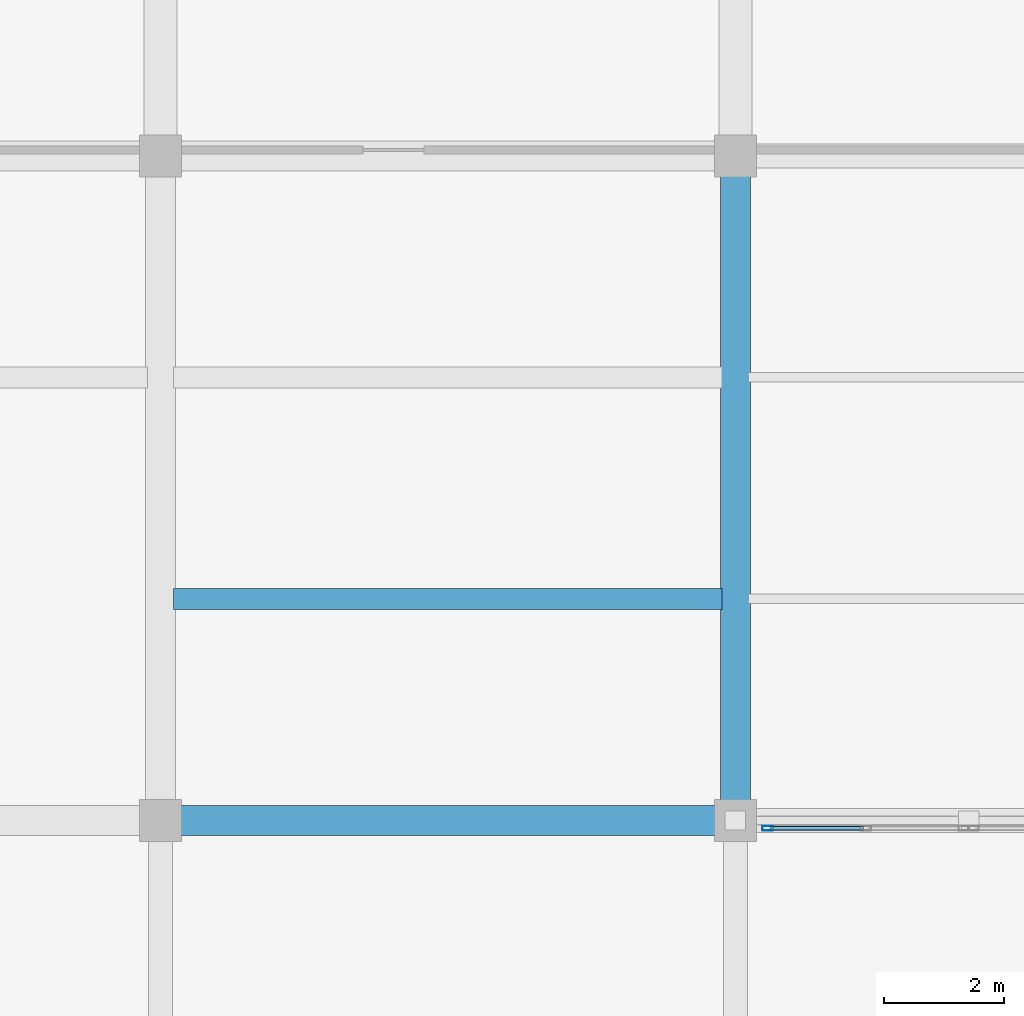
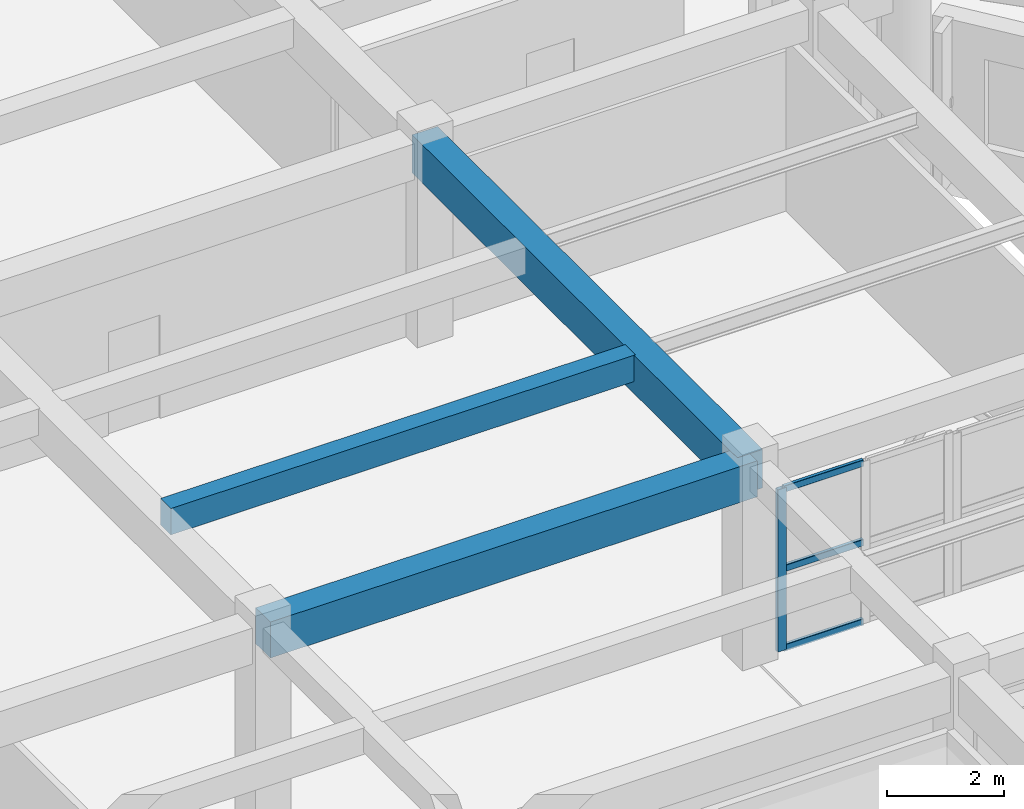
# One storey, part 26 of 92: 4 members, 3 beams, 1 element without a shape of its own.
"""IFC4 building model written with IfcOpenShell, lengths in metres."""

from ifc_helpers import new_model, si_unit, direction, frame, origin, origin_2d, place, context, subcontext, project, spatial, rectangle, hollow_rectangle, extrude, material, layer, layer_set, material_profile, profile_set, type_object, element, aggregate, save


model = new_model("IFC4")

# Units and contexts
model_context = context("Model", 3, precision=1e-05, world=origin(), true_north=direction((0.0, 1.0)))
body_context = subcontext(model_context, "Body", "Model", "MODEL_VIEW")
ifc_project = project(units=[si_unit("LENGTHUNIT", "METRE"), si_unit("AREAUNIT", "SQUARE_METRE"), si_unit("VOLUMEUNIT", "CUBIC_METRE"), si_unit("PLANEANGLEUNIT", "RADIAN"), si_unit("MASSUNIT", "GRAM", prefix="KILO")], contexts=[model_context])

# Site, building, storey
site_placement = place(None, origin())
site = spatial("IfcSite", under=ifc_project, at=site_placement, CompositionType="ELEMENT")
building_placement = place(site_placement, origin())
building = spatial("IfcBuilding", under=site, at=building_placement, Name="Tarnavel Promenade Courthouse", CompositionType="ELEMENT")
storey_placement = place(building_placement, frame((0.0, 0.0, 5.39990234375)))
storey = spatial("IfcBuildingStorey", under=building, at=storey_placement, Name="L02", CompositionType="ELEMENT", Elevation=5.39990234375)

# Beams
ifc_material_1 = material(Name="Concrete C40/50", Category="concrete")
ifc_material_profile_1 = material_profile(ifc_material_1, rectangle(XDim=0.35009765625, YDim=0.550048828125, at=origin_2d()), Name="PT 350x550")
ifc_profile_set_1 = profile_set([ifc_material_profile_1], Name="Concrete C40/50")
beam_type_1 = type_object("IfcBeamType", Name="Concrete C40/50 BM-PT-350x550 (PT 350x550)", PredefinedType="JOIST", material=ifc_profile_set_1)
beam_1_placement = place(storey_placement, frame((29.02001953125, 78.10009765625, 3.920166015625), z_axis=(1.0, 0.0, 0.0), x_axis=(0.0, 1.0, 0.0)))
element("IfcBeam", 1, at=beam_1_placement, inside=storey, type_object=beam_type_1, Name="L02 Secondary Floor Rib 1411", PredefinedType="JOIST", context=body_context, shape_type="SweptSolid", body=[
    extrude(rectangle(XDim=0.35009765625, YDim=0.550048828125, at=origin_2d()), origin(), (0.0, 0.0, 1.0), 9.159912109375),
])
ifc_material_profile_2 = material_profile(ifc_material_1, rectangle(XDim=0.5, YDim=0.800048828125, at=origin_2d()), Name="PT 500x800")
ifc_profile_set_2 = profile_set([ifc_material_profile_2], Name="Concrete C40/50")
beam_type_2 = type_object("IfcBeamType", Name="Concrete C40/50 BM-PT-500x800 (PT 500x800)", PredefinedType="T_BEAM", material=ifc_profile_set_2)
beam_2_placement = place(storey_placement, frame((38.39990234375, 74.39990234375, 3.795166015625), z_axis=(0.0, 1.0, 0.0), x_axis=(-1.0, 0.0, 0.0)))
element("IfcBeam", 2, at=beam_2_placement, inside=storey, type_object=beam_type_2, Name="L02 Transverse Girder 1266", PredefinedType="T_BEAM", context=body_context, shape_type="SweptSolid", body=[
    extrude(rectangle(XDim=0.5, YDim=0.800048828125, at=origin_2d()), origin(), (0.0, 0.0, 1.0), 11.10009765625),
])
ifc_material_profile_3 = material_profile(ifc_material_1, rectangle(XDim=0.5, YDim=0.75, at=origin_2d()), Name="RC 500x750")
ifc_profile_set_3 = profile_set([ifc_material_profile_3], Name="Concrete C40/50")
beam_type_3 = type_object("IfcBeamType", Name="Concrete C40/50 BM-RC-500x750 (RC 500x750)", PredefinedType="T_BEAM", material=ifc_profile_set_3)
beam_3_placement = place(storey_placement, frame((28.800048828125, 74.39990234375, 3.820068359375), z_axis=(1.0, 0.0, 0.0), x_axis=(0.0, 1.0, 0.0)))
element("IfcBeam", 3, at=beam_3_placement, inside=storey, type_object=beam_type_3, Name="L02 Primary Longitudinal Beam 1153", PredefinedType="T_BEAM", context=body_context, shape_type="SweptSolid", body=[
    extrude(rectangle(XDim=0.5, YDim=0.75, at=origin_2d()), origin(), (0.0, 0.0, 1.0), 9.599853515625),
])

# Curtain wall, members
ifc_material_2 = material(Name="Thermally Broken Anodised Aluminium Curtain Wall System", Category="aluminium")
ifc_layer = layer(ifc_material_2, 0.18505859375)
ifc_layer_set = layer_set([ifc_layer], Name="Thermally Broken Anodised Aluminium Curtain Wall System")
curtain_wall_type = type_object("IfcCurtainWallType", Name="Thermally Broken Aluminium Triple-Glazed Curtain Wall CW-BRG", PredefinedType="NOTDEFINED", material=ifc_layer_set)
curtain_wall_placement = place(storey_placement, origin())
curtain_wall = element("IfcCurtainWall", 4, at=curtain_wall_placement, inside=storey, type_object=curtain_wall_type, Name="L02 West Bridge Curtain Wall A 152", PredefinedType="NOTDEFINED")
ifc_material_3 = material(Name="Thermally Broken Anodised Aluminium Frame", Category="aluminium")
ifc_material_profile_4 = material_profile(ifc_material_3, hollow_rectangle(XDim=0.080078125, YDim=0.179931640625, WallThickness=0.0048828125, InnerFilletRadius=0.0048828125, OuterFilletRadius=0.010009765625, at=origin_2d()), Name="CWM 180x80x5")
ifc_profile_set_4 = profile_set([ifc_material_profile_4], Name="Thermally Broken Anodised Aluminium Frame")
member_type_1 = type_object("IfcMemberType", Name="Thermally Broken Anodised Aluminium CWM-155 (CWM 180x80x5)", PredefinedType="MULLION", material=ifc_profile_set_4)
member_1_placement = place(storey_placement, frame((38.93994140625, 74.27001953125, 0.0), z_axis=(0.0, 0.0, 1.0), x_axis=(0.0, 1.0, 0.0)))
member_1 = element("IfcMember", 5, at=member_1_placement, type_object=member_type_1, Name="CW-05 mullion 1", PredefinedType="MULLION", context=body_context, shape_type="SweptSolid", body=[
    extrude(hollow_rectangle(XDim=0.080078125, YDim=0.179931640625, WallThickness=0.0048828125, InnerFilletRadius=0.0048828125, OuterFilletRadius=0.010009765625, at=origin_2d()), origin(), (0.0, 0.0, 1.0), 3.380126953125),
])
ifc_material_profile_5 = material_profile(ifc_material_3, hollow_rectangle(XDim=0.070068359375, YDim=0.139892578125, WallThickness=0.0048828125, InnerFilletRadius=0.0048828125, OuterFilletRadius=0.010009765625, at=origin_2d()), Name="CWT 140x70x5")
ifc_profile_set_5 = profile_set([ifc_material_profile_5], Name="Thermally Broken Anodised Aluminium Frame")
member_type_2 = type_object("IfcMemberType", Name="Thermally Broken Anodised Aluminium CWT-125 (CWT 140x70x5)", PredefinedType="USERDEFINED", material=ifc_profile_set_5)
member_2_placement = place(storey_placement, frame((38.97998046875, 74.27001953125, 0.03515625), z_axis=(1.0, 0.0, 0.0), x_axis=(0.0, 1.0, 0.0)))
member_2 = element("IfcMember", 6, at=member_2_placement, type_object=member_type_2, Name="CW-05 transom 1.1", ObjectType="TRANSOM", PredefinedType="USERDEFINED", context=body_context, shape_type="SweptSolid", body=[
    extrude(hollow_rectangle(XDim=0.070068359375, YDim=0.139892578125, WallThickness=0.0048828125, InnerFilletRadius=0.0048828125, OuterFilletRadius=0.010009765625, at=origin_2d()), origin(), (0.0, 0.0, 1.0), 1.56005859375),
])
member_3_placement = place(storey_placement, frame((38.97998046875, 74.27001953125, 1.690185546875), z_axis=(1.0, 0.0, 0.0), x_axis=(0.0, 1.0, 0.0)))
member_3 = element("IfcMember", 7, at=member_3_placement, type_object=member_type_2, Name="CW-05 transom 1.2", ObjectType="TRANSOM", PredefinedType="USERDEFINED", context=body_context, shape_type="SweptSolid", body=[
    extrude(hollow_rectangle(XDim=0.070068359375, YDim=0.139892578125, WallThickness=0.0048828125, InnerFilletRadius=0.0048828125, OuterFilletRadius=0.010009765625, at=origin_2d()), origin(), (0.0, 0.0, 1.0), 1.56005859375),
])
member_4_placement = place(storey_placement, frame((38.97998046875, 74.27001953125, 3.34521484375), z_axis=(1.0, 0.0, 0.0), x_axis=(0.0, 1.0, 0.0)))
member_4 = element("IfcMember", 8, at=member_4_placement, type_object=member_type_2, Name="CW-05 transom 1.3", ObjectType="TRANSOM", PredefinedType="USERDEFINED", context=body_context, shape_type="SweptSolid", body=[
    extrude(hollow_rectangle(XDim=0.070068359375, YDim=0.139892578125, WallThickness=0.0048828125, InnerFilletRadius=0.0048828125, OuterFilletRadius=0.010009765625, at=origin_2d()), origin(), (0.0, 0.0, 1.0), 1.56005859375),
])
aggregate(curtain_wall, [member_1, member_2, member_3, member_4])

save(model, "model.ifc")
